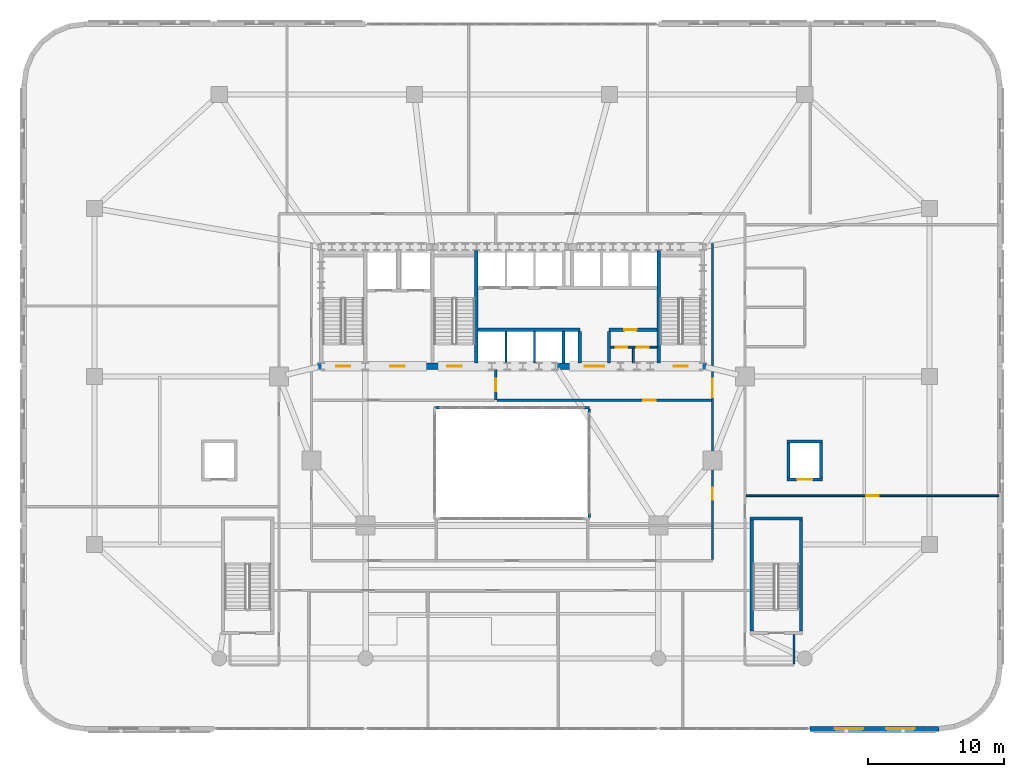
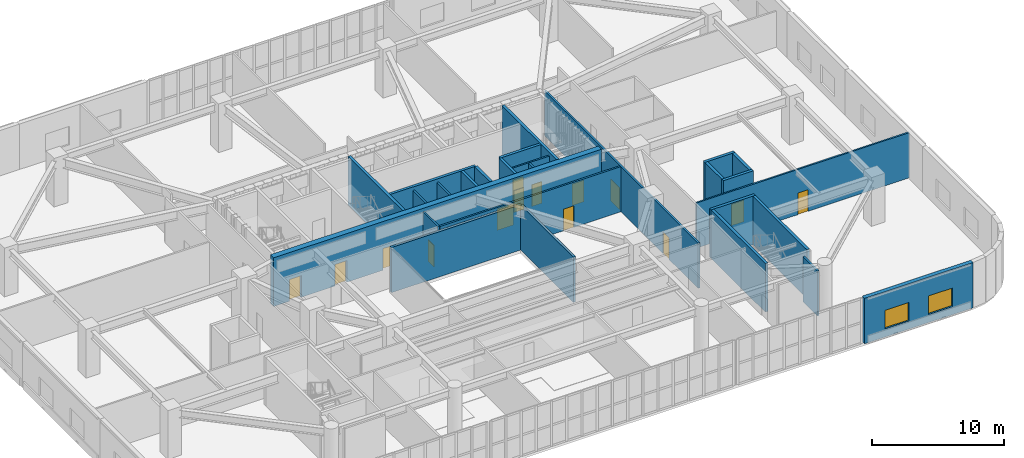
# One storey, part 15 of 25: 27 walls, 14 doors, 2 windows, 16 openings.
"""IFC4 building model written with IfcOpenShell, lengths in metres."""

from ifc_helpers import new_model, si_unit, direction, frame, frame_2d, origin, place, context, subcontext, project, spatial, rectangle, extrude, material, layer, layer_set, type_object, element, fill, save


model = new_model("IFC4")

# Units and contexts
model_context = context("Model", 3, precision=1e-05, world=origin(), true_north=direction((0.0, 1.0)))
body_context = subcontext(model_context, "Body", "Model", "MODEL_VIEW")
ifc_project = project(units=[si_unit("LENGTHUNIT", "METRE"), si_unit("AREAUNIT", "SQUARE_METRE"), si_unit("VOLUMEUNIT", "CUBIC_METRE"), si_unit("PLANEANGLEUNIT", "RADIAN"), si_unit("MASSUNIT", "GRAM", prefix="KILO")], contexts=[model_context])

# Site, building, storey
site_placement = place(None, origin())
site = spatial("IfcSite", under=ifc_project, at=site_placement, CompositionType="ELEMENT")
building_placement = place(site_placement, origin())
building = spatial("IfcBuilding", under=site, at=building_placement, Name="Haldorwick Loom Tower", CompositionType="ELEMENT")
storey_placement = place(building_placement, frame((0.0, 0.0, 15.0)))
storey = spatial("IfcBuildingStorey", under=building, at=storey_placement, Name="L03", CompositionType="ELEMENT", Elevation=15.0)

# Wall, openings, windows
ifc_material_1 = material(Name="Pressed Clay Face Brick and Insulated Masonry Backup Assembly", Category="masonry")
ifc_layer_1 = layer(ifc_material_1, 0.360107421875, Name="Pressed Clay Face Brick and Insulated Masonry Backup Assembly", Category="masonry")
ifc_layer_set_1 = layer_set([ifc_layer_1], Name="Pressed Clay Face Brick and Insulated Masonry Backup Assembly")
wall_type_1 = type_object("IfcWallType", Name="ARC-WL-EXT360", PredefinedType="STANDARD", material=ifc_layer_set_1)
wall_1_placement = place(storey_placement, frame((58.0, 0.0, 0.0), z_axis=(0.0, 0.0, 1.0), x_axis=(1.0, 0.0, 0.0)))
wall_1 = element("IfcWall", 1, at=wall_1_placement, inside=storey, type_object=wall_type_1, Name="L03 Brick Pier and Spandrel Wall 42", PredefinedType="STANDARD", context=body_context, shape_type="SweptSolid", body=[
    extrude(rectangle(XDim=9.5, YDim=0.360107421875, at=frame_2d((4.75, 0.0))), origin(), (0.0, 0.0, 1.0), 4.199951171875),
])
opening_1_placement = place(wall_1_placement, frame((1.800048828125, 0.0, 0.75)))
opening_1 = element("IfcOpeningElement", 2, at=opening_1_placement, cuts=wall_1, Name="Opening W-04", PredefinedType="OPENING", context=body_context, shape_type="SweptSolid", body=[
    extrude(rectangle(XDim=2.10009765625, YDim=1.719970703125, at=frame_2d((1.050048828125, 0.85986328125))), frame((0.0, 0.18994140625, 0.0), z_axis=(0.0, -1.0, 0.0), x_axis=(1.0, 0.0, 0.0)), (0.0, 0.0, 1.0), 0.380126953125),
])
opening_2_placement = place(wall_1_placement, frame((5.60009765625, 0.0, 0.75)))
opening_2 = element("IfcOpeningElement", 3, at=opening_2_placement, cuts=wall_1, Name="Opening W-04", PredefinedType="OPENING", context=body_context, shape_type="SweptSolid", body=[
    extrude(rectangle(XDim=2.10009765625, YDim=1.719970703125, at=frame_2d((1.050048828125, 0.85986328125))), frame((0.0, 0.18994140625, 0.0), z_axis=(0.0, -1.0, 0.0), x_axis=(1.0, 0.0, 0.0)), (0.0, 0.0, 1.0), 0.380126953125),
])
ifc_material_2 = material(Name="Triple-Glazed Low-E Argon Insulated Glazing Unit", Category="glass")
window_type = type_object("IfcWindowType", Name="ARC-WIN-W210", PartitioningType="SINGLE_PANEL", PredefinedType="WINDOW", material=ifc_material_2)
window_1_placement = place(opening_1_placement, origin())
window_1 = element("IfcWindow", 4, at=window_1_placement, inside=storey, type_object=window_type, Name="L03 Deep-Set Zone 7A Window 42", OverallHeight=1.719970703125, OverallWidth=2.10009765625, PartitioningType="SINGLE_PANEL", PredefinedType="WINDOW", context=body_context, shape_type="SweptSolid", body=[
    extrude(rectangle(XDim=2.10009765625, YDim=1.719970703125, at=frame_2d((1.050048828125, 0.85986328125))), frame((0.0, 0.030029296875, 0.0), z_axis=(0.0, -1.0, 0.0), x_axis=(1.0, 0.0, 0.0)), (0.0, 0.0, 1.0), 0.06005859375),
])
fill(opening_1, window_1)
window_2_placement = place(opening_2_placement, origin())
window_2 = element("IfcWindow", 5, at=window_2_placement, inside=storey, type_object=window_type, Name="L03 Deep-Set Zone 7A Window 42", OverallHeight=1.719970703125, OverallWidth=2.10009765625, PartitioningType="SINGLE_PANEL", PredefinedType="WINDOW", context=body_context, shape_type="SweptSolid", body=[
    extrude(rectangle(XDim=2.10009765625, YDim=1.719970703125, at=frame_2d((1.050048828125, 0.85986328125))), frame((0.0, 0.030029296875, 0.0), z_axis=(0.0, -1.0, 0.0), x_axis=(1.0, 0.0, 0.0)), (0.0, 0.0, 1.0), 0.06005859375),
])
fill(opening_2, window_2)

# Wall, opening, door
ifc_material_3 = material(Name="Fire-Rated Type X Gypsum Stud Assembly EI 60")
ifc_layer_2 = layer(ifc_material_3, 0.159912109375, Name="Fire-Rated Type X Gypsum Stud Assembly EI 60")
ifc_layer_set_2 = layer_set([ifc_layer_2], Name="Fire-Rated Type X Gypsum Stud Assembly EI 60")
wall_type_2 = type_object("IfcWallType", Name="ARC-WL-FIRE160", PredefinedType="PARTITIONING", material=ifc_layer_set_2)
wall_2_placement = place(storey_placement, frame((34.800048828125, 24.25, 0.0), z_axis=(0.0, 0.0, 1.0), x_axis=(0.0, 1.0, 0.0)))
wall_2 = element("IfcWall", 6, at=wall_2_placement, inside=storey, type_object=wall_type_2, Name="L03 Podium Partition L03-CCS", PredefinedType="PARTITIONING", context=body_context, shape_type="SweptSolid", body=[
    extrude(rectangle(XDim=2.2470703125, YDim=0.159912109375, at=frame_2d((1.12353515625, 0.0))), origin(), (0.0, 0.0, 1.0), 4.18505859375),
])
opening_3_placement = place(wall_2_placement, frame((0.673583984375, 0.0, 0.0)))
opening_3 = element("IfcOpeningElement", 7, at=opening_3_placement, cuts=wall_2, Name="Opening D-FD60A", PredefinedType="OPENING", context=body_context, shape_type="SweptSolid", body=[
    extrude(rectangle(XDim=0.89990234375, YDim=2.0, at=frame_2d((0.449951171875, 1.0))), frame((0.0, 0.08984375, 0.0), z_axis=(0.0, -1.0, 0.0), x_axis=(1.0, 0.0, 0.0)), (0.0, 0.0, 1.0), 0.179931640625),
])
ifc_material_4 = material(Name="Hollow Steel Fire Door Assembly", Category="steel")
door_type_1 = type_object("IfcDoorType", Name="ARC-DR-FD60-90", OperationType="NOTDEFINED", PredefinedType="DOOR", material=ifc_material_4)
door_1_placement = place(opening_3_placement, origin())
door_1 = element("IfcDoor", 8, at=door_1_placement, inside=storey, type_object=door_type_1, Name="L03 L03 West Core Corridor to L03 East Core Corridor Door", OperationType="SINGLE_SWING_RIGHT", OverallHeight=2.0, OverallWidth=0.89990234375, PredefinedType="DOOR", context=body_context, shape_type="SweptSolid", body=[
    extrude(rectangle(XDim=0.89990234375, YDim=2.0, at=frame_2d((0.449951171875, 1.0))), frame((0.0, 0.02490234375, 0.0), z_axis=(0.0, -1.0, 0.0), x_axis=(1.0, 0.0, 0.0)), (0.0, 0.0, 1.0), 0.050048828125),
])
fill(opening_3, door_1)

# Wall
wall_3_placement = place(storey_placement, frame((56.800048828125, 4.782958984375, 0.0), z_axis=(0.0, 0.0, 1.0), x_axis=(0.0, 1.0, 0.0)))
element("IfcWall", 9, at=wall_3_placement, inside=storey, type_object=wall_type_2, Name="L03 Podium Partition L03-SP2E", PredefinedType="PARTITIONING", context=body_context, shape_type="SweptSolid", body=[
    extrude(rectangle(XDim=2.174072265625, YDim=0.159912109375, at=frame_2d((1.0869140625, 0.0))), origin(), (0.0, 0.0, 1.0), 4.18505859375),
])

# Wall, openings, doors
wall_4_placement = place(storey_placement, frame((50.800048828125, 12.48291015625, 0.0), z_axis=(0.0, 0.0, 1.0), x_axis=(0.0, 1.0, 0.0)))
wall_4 = element("IfcWall", 10, at=wall_4_placement, inside=storey, type_object=wall_type_2, Name="L03 Podium Partition L03-CE1", PredefinedType="PARTITIONING", context=body_context, shape_type="SweptSolid", body=[
    extrude(rectangle(XDim=23.317138671875, YDim=0.159912109375, at=frame_2d((11.65869140625, 0.0))), origin(), (0.0, 0.0, 1.0), 4.18505859375),
])
opening_4_placement = place(wall_4_placement, frame((11.99169921875, 0.0, 0.0)))
opening_4 = element("IfcOpeningElement", 11, at=opening_4_placement, cuts=wall_4, Name="Opening D-CR15", PredefinedType="OPENING", context=body_context, shape_type="SweptSolid", body=[
    extrude(rectangle(XDim=1.35009765625, YDim=2.0, at=frame_2d((0.675048828125, 1.0))), frame((0.0, 0.08984375, 0.0), z_axis=(0.0, -1.0, 0.0), x_axis=(1.0, 0.0, 0.0)), (0.0, 0.0, 1.0), 0.179931640625),
])
opening_5_placement = place(wall_4_placement, frame((4.405517578125, 0.0, 0.0)))
opening_5 = element("IfcOpeningElement", 12, at=opening_5_placement, cuts=wall_4, Name="Opening D-FD60A", PredefinedType="OPENING", context=body_context, shape_type="SweptSolid", body=[
    extrude(rectangle(XDim=0.89990234375, YDim=2.0, at=frame_2d((0.449951171875, 1.0))), frame((0.0, 0.08984375, 0.0), z_axis=(0.0, -1.0, 0.0), x_axis=(1.0, 0.0, 0.0)), (0.0, 0.0, 1.0), 0.179931640625),
])
ifc_material_5 = material(Name="Thermally Broken Anodized Aluminium and Tempered Glass", Category="aluminium")
door_type_2 = type_object("IfcDoorType", Name="ARC-DR-COR150", OperationType="NOTDEFINED", PredefinedType="DOOR", material=ifc_material_5)
door_2_placement = place(opening_4_placement, origin())
door_2 = element("IfcDoor", 13, at=door_2_placement, inside=storey, type_object=door_type_2, Name="L03 L03 East Core Corridor to L03 South Clinic Corridor Door", OperationType="DOUBLE_DOOR_SINGLE_SWING", OverallHeight=2.0, OverallWidth=1.35009765625, PredefinedType="DOOR", context=body_context, shape_type="SweptSolid", body=[
    extrude(rectangle(XDim=1.35009765625, YDim=2.0, at=frame_2d((0.675048828125, 1.0))), frame((0.0, 0.02490234375, 0.0), z_axis=(0.0, -1.0, 0.0), x_axis=(1.0, 0.0, 0.0)), (0.0, 0.0, 1.0), 0.050048828125),
])
fill(opening_4, door_2)
door_3_placement = place(opening_5_placement, origin())
door_3 = element("IfcDoor", 14, at=door_3_placement, inside=storey, type_object=door_type_1, Name="L03 Physiotherapy Rehabilitation Hall 12 to L03 South Clinic Corridor Do", OperationType="SINGLE_SWING_LEFT", OverallHeight=2.0, OverallWidth=0.89990234375, PredefinedType="DOOR", context=body_context, shape_type="SweptSolid", body=[
    extrude(rectangle(XDim=0.89990234375, YDim=2.0, at=frame_2d((0.449951171875, 1.0))), frame((0.0, 0.02490234375, 0.0), z_axis=(0.0, -1.0, 0.0), x_axis=(1.0, 0.0, 0.0)), (0.0, 0.0, 1.0), 0.050048828125),
])
fill(opening_5, door_3)

# Wall, opening, door
wall_5_placement = place(storey_placement, frame((34.883056640625, 24.25, 0.0), z_axis=(0.0, 0.0, 1.0), x_axis=(1.0, 0.0, 0.0)))
wall_5 = element("IfcWall", 15, at=wall_5_placement, inside=storey, type_object=wall_type_2, Name="L03 Podium Partition L03-CMN", PredefinedType="PARTITIONING", context=body_context, shape_type="SweptSolid", body=[
    extrude(rectangle(XDim=15.833984375, YDim=0.159912109375, at=frame_2d((7.9169921875, 0.0))), origin(), (0.0, 0.0, 1.0), 4.18505859375),
])
opening_6_placement = place(wall_5_placement, frame((10.812255859375, 0.0, 0.0)))
opening_6 = element("IfcOpeningElement", 16, at=opening_6_placement, cuts=wall_5, Name="Opening D-FD60A", PredefinedType="OPENING", context=body_context, shape_type="SweptSolid", body=[
    extrude(rectangle(XDim=0.89990234375, YDim=2.0, at=frame_2d((0.449951171875, 1.0))), frame((0.0, 0.08984375, 0.0), z_axis=(0.0, -1.0, 0.0), x_axis=(1.0, 0.0, 0.0)), (0.0, 0.0, 1.0), 0.179931640625),
])
door_4_placement = place(opening_6_placement, origin())
door_4 = element("IfcDoor", 17, at=door_4_placement, inside=storey, type_object=door_type_1, Name="L03 L03 East Core Corridor to Physiotherapy Rehabilitation Hall 12 Door", OperationType="SINGLE_SWING_LEFT", OverallHeight=2.0, OverallWidth=0.89990234375, PredefinedType="DOOR", context=body_context, shape_type="SweptSolid", body=[
    extrude(rectangle(XDim=0.89990234375, YDim=2.0, at=frame_2d((0.449951171875, 1.0))), frame((0.0, 0.02490234375, 0.0), z_axis=(0.0, -1.0, 0.0), x_axis=(1.0, 0.0, 0.0)), (0.0, 0.0, 1.0), 0.050048828125),
])
fill(opening_6, door_4)

# Walls
ifc_material_6 = material(Name="Fire-Rated Type X Gypsum Stud Assembly EI 120")
ifc_layer_3 = layer(ifc_material_6, 0.199951171875, Name="Fire-Rated Type X Gypsum Stud Assembly EI 120")
ifc_layer_set_3 = layer_set([ifc_layer_3], Name="Fire-Rated Type X Gypsum Stud Assembly EI 120")
wall_type_3 = type_object("IfcWallType", Name="ARC-WL-FIRE200", PredefinedType="PARTITIONING", material=ifc_layer_set_3)
wall_6_placement = place(storey_placement, frame((30.300048828125, 23.699951171875, 0.0), z_axis=(0.0, 0.0, 1.0), x_axis=(1.0, 0.0, 0.0)))
element("IfcWall", 18, at=wall_6_placement, inside=storey, type_object=wall_type_3, Name="L03 Podium Atrium Wall", PredefinedType="PARTITIONING", context=body_context, shape_type="SweptSolid", body=[
    extrude(rectangle(XDim=11.39990234375, YDim=0.199951171875, at=frame_2d((5.699951171875, 0.0))), origin(), (0.0, 0.0, 1.0), 4.18505859375),
])
wall_7_placement = place(storey_placement, frame((41.699951171875, 23.596923828125, 0.0), z_axis=(0.0, 0.0, 1.0), x_axis=(0.0, -1.0, 0.0)))
element("IfcWall", 19, at=wall_7_placement, inside=storey, type_object=wall_type_3, Name="L03 Podium Atrium Wall", PredefinedType="PARTITIONING", context=body_context, shape_type="SweptSolid", body=[
    extrude(rectangle(XDim=7.993896484375, YDim=0.199951171875, at=frame_2d((3.9970703125, 0.0))), origin(), (0.0, 0.0, 1.0), 4.18505859375),
])

# Wall, openings, doors
ifc_layer_4 = layer(ifc_material_3, 0.139892578125, Name="Fire-Rated Type X Gypsum Stud Assembly EI 60")
ifc_layer_set_4 = layer_set([ifc_layer_4], Name="Fire-Rated Type X Gypsum Stud Assembly EI 60")
wall_type_4 = type_object("IfcWallType", Name="ARC-WL-PART140", PredefinedType="PARTITIONING", material=ifc_layer_set_4)
wall_8_placement = place(storey_placement, frame((43.27294921875, 28.159912109375, 0.0), z_axis=(0.0, 0.0, 1.0), x_axis=(1.0, 0.0, 0.0)))
wall_8 = element("IfcWall", 20, at=wall_8_placement, inside=storey, type_object=wall_type_4, Name="L03 Telecom Partition", PredefinedType="PARTITIONING", context=body_context, shape_type="SweptSolid", body=[
    extrude(rectangle(XDim=3.43408203125, YDim=0.139892578125, at=frame_2d((1.717041015625, 0.0))), origin(), (0.0, 0.0, 1.0), 4.18505859375),
])
opening_7_placement = place(wall_8_placement, frame((0.366943359375, 0.0, 0.0)))
opening_7 = element("IfcOpeningElement", 21, at=opening_7_placement, cuts=wall_8, Name="Opening D-BT88", PredefinedType="OPENING", context=body_context, shape_type="SweptSolid", body=[
    extrude(rectangle(XDim=0.8798828125, YDim=2.02001953125, at=frame_2d((0.43994140625, 1.010009765625))), frame((0.0, 0.079833984375, 0.0), z_axis=(0.0, -1.0, 0.0), x_axis=(1.0, 0.0, 0.0)), (0.0, 0.0, 1.0), 0.159912109375),
])
opening_8_placement = place(wall_8_placement, frame((1.93701171875, 0.0, 0.0)))
opening_8 = element("IfcOpeningElement", 22, at=opening_8_placement, cuts=wall_8, Name="Opening D-BT88", PredefinedType="OPENING", context=body_context, shape_type="SweptSolid", body=[
    extrude(rectangle(XDim=0.8798828125, YDim=2.02001953125, at=frame_2d((0.43994140625, 1.010009765625))), frame((0.0, 0.079833984375, 0.0), z_axis=(0.0, -1.0, 0.0), x_axis=(1.0, 0.0, 0.0)), (0.0, 0.0, 1.0), 0.159912109375),
])
ifc_material_7 = material(Name="Solid Core Birch Architectural Door")
door_type_3 = type_object("IfcDoorType", Name="ARC-DR-BATH88", OperationType="NOTDEFINED", PredefinedType="DOOR", material=ifc_material_7)
door_5_placement = place(opening_7_placement, origin())
door_5 = element("IfcDoor", 23, at=door_5_placement, inside=storey, type_object=door_type_3, Name="L03 Telecom Room Door", OperationType="SINGLE_SWING_LEFT", OverallHeight=2.02001953125, OverallWidth=0.8798828125, PredefinedType="DOOR", context=body_context, shape_type="SweptSolid", body=[
    extrude(rectangle(XDim=0.8798828125, YDim=2.02001953125, at=frame_2d((0.43994140625, 1.010009765625))), frame((0.0, 0.02490234375, 0.0), z_axis=(0.0, -1.0, 0.0), x_axis=(1.0, 0.0, 0.0)), (0.0, 0.0, 1.0), 0.050048828125),
])
fill(opening_7, door_5)
door_6_placement = place(opening_8_placement, origin())
door_6 = element("IfcDoor", 24, at=door_6_placement, inside=storey, type_object=door_type_3, Name="L03 Metering Closet Door", OperationType="SINGLE_SWING_RIGHT", OverallHeight=2.02001953125, OverallWidth=0.8798828125, PredefinedType="DOOR", context=body_context, shape_type="SweptSolid", body=[
    extrude(rectangle(XDim=0.8798828125, YDim=2.02001953125, at=frame_2d((0.43994140625, 1.010009765625))), frame((0.0, 0.02490234375, 0.0), z_axis=(0.0, -1.0, 0.0), x_axis=(1.0, 0.0, 0.0)), (0.0, 0.0, 1.0), 0.050048828125),
])
fill(opening_8, door_6)

# Wall
wall_9_placement = place(storey_placement, frame((44.949951171875, 27.0029296875, 0.0), z_axis=(0.0, 0.0, 1.0), x_axis=(0.0, 1.0, 0.0)))
element("IfcWall", 25, at=wall_9_placement, inside=storey, type_object=wall_type_4, Name="L03 Metering Sub-Partition", PredefinedType="PARTITIONING", context=body_context, shape_type="SweptSolid", body=[
    extrude(rectangle(XDim=1.083984375, YDim=0.139892578125, at=frame_2d((0.5419921875, 0.0))), origin(), (0.0, 0.0, 1.0), 4.18505859375),
])

# Wall, opening, door
wall_10_placement = place(storey_placement, frame((53.282958984375, 17.199951171875, 0.0), z_axis=(0.0, 0.0, 1.0), x_axis=(1.0, 0.0, 0.0)))
wall_10 = element("IfcWall", 26, at=wall_10_placement, inside=storey, type_object=wall_type_4, Name="L03 Podium Partition L03-PE-0", PredefinedType="PARTITIONING", context=body_context, shape_type="SweptSolid", body=[
    extrude(rectangle(XDim=18.616943359375, YDim=0.139892578125, at=frame_2d((9.30859375, 0.0))), origin(), (0.0, 0.0, 1.0), 4.18505859375),
])
opening_9_placement = place(wall_10_placement, frame((8.868408203125, 0.0, 0.0)))
opening_9 = element("IfcOpeningElement", 27, at=opening_9_placement, cuts=wall_10, Name="Opening D-FD60A", PredefinedType="OPENING", context=body_context, shape_type="SweptSolid", body=[
    extrude(rectangle(XDim=0.89990234375, YDim=2.0, at=frame_2d((0.449951171875, 1.0))), frame((0.0, 0.079833984375, 0.0), z_axis=(0.0, -1.0, 0.0), x_axis=(1.0, 0.0, 0.0)), (0.0, 0.0, 1.0), 0.159912109375),
])
door_7_placement = place(opening_9_placement, frame((0.89990234375, 0.0, 0.0), z_axis=(0.0, 0.0, 1.0), x_axis=(-1.0, 0.0, 0.0)))
door_7 = element("IfcDoor", 28, at=door_7_placement, inside=storey, type_object=door_type_1, Name="L03 Physiotherapy Rehabilitation Hall 17 to Physiotherapy Rehabilitation", OperationType="SINGLE_SWING_RIGHT", OverallHeight=2.0, OverallWidth=0.89990234375, PredefinedType="DOOR", context=body_context, shape_type="SweptSolid", body=[
    extrude(rectangle(XDim=0.89990234375, YDim=2.0, at=frame_2d((0.449951171875, 1.0))), frame((0.0, 0.02490234375, 0.0), z_axis=(0.0, -1.0, 0.0), x_axis=(1.0, 0.0, 0.0)), (0.0, 0.0, 1.0), 0.050048828125),
])
fill(opening_9, door_7)

# Walls
ifc_layer_5 = layer(ifc_material_6, 0.1650390625, Name="Fire-Rated Type X Gypsum Stud Assembly EI 120")
ifc_layer_set_5 = layer_set([ifc_layer_5], Name="Fire-Rated Type X Gypsum Stud Assembly EI 120")
wall_type_5 = type_object("IfcWallType", Name="ARC-WL-SHAFT160", PredefinedType="MOVABLE", material=ifc_layer_set_5)
for number, where, z_axis, x_axis, name in (
    (29, (35.550048828125, 27.0029296875, 0.0), (0.0, 0.0, 1.0), (0.0, 1.0, 0.0), "L03 Mid-Rise Hoistway Divider 1"),
    (30, (37.64990234375, 27.0029296875, 0.0), (0.0, 0.0, 1.0), (0.0, 1.0, 0.0), "L03 Mid-Rise Hoistway Divider 2"),
):
    element("IfcWall", number, at=place(storey_placement, frame(where, z_axis=z_axis, x_axis=x_axis)), inside=storey, type_object=wall_type_5, Name=name, PredefinedType="MOVABLE", context=body_context, shape_type="SweptSolid", body=[
        extrude(rectangle(XDim=2.323974609375, YDim=0.159912109375, at=frame_2d((1.162109375, 0.0))), origin(), (0.0, 0.0, 1.0), 4.18505859375),
    ])

# Wall, openings, doors
ifc_material_8 = material(Name="Concrete C60 (60 MPa)", Category="concrete")
ifc_layer_6 = layer(ifc_material_8, 0.5, Name="Concrete C60 (60 MPa)", Category="concrete")
ifc_layer_set_6 = layer_set([ifc_layer_6], Name="Concrete C60 (60 MPa)")
wall_type_6 = type_object("IfcWallType", Name="STR-WL-CORE500", PredefinedType="SHEAR", material=ifc_layer_set_6)
wall_11_placement = place(storey_placement, frame((21.64990234375, 26.75, 0.0), z_axis=(0.0, 0.0, 1.0), x_axis=(1.0, 0.0, 0.0)))
wall_11 = element("IfcWall", 31, at=wall_11_placement, inside=storey, type_object=wall_type_6, Name="L03 Core Shear Wall S", PredefinedType="SHEAR", context=body_context, shape_type="SweptSolid", body=[
    extrude(rectangle(XDim=28.7001953125, YDim=0.5, at=frame_2d((14.35009765625, 0.0))), origin(), (0.0, 0.0, 1.0), 4.5),
])
opening_10_placement = place(wall_11_placement, frame((1.375, 0.0, 0.0)))
opening_10 = element("IfcOpeningElement", 32, at=opening_10_placement, cuts=wall_11, Name="Opening D-FD60", PredefinedType="OPENING", context=body_context, shape_type="SweptSolid", body=[
    extrude(rectangle(XDim=1.050048828125, YDim=2.0, at=frame_2d((0.52490234375, 1.0))), frame((0.0, 0.260009765625, 0.0), z_axis=(0.0, -1.0, 0.0), x_axis=(1.0, 0.0, 0.0)), (0.0, 0.0, 1.0), 0.52001953125),
])
opening_11_placement = place(wall_11_placement, frame((5.375, 0.0, 0.0)))
opening_11 = element("IfcOpeningElement", 33, at=opening_11_placement, cuts=wall_11, Name="Opening D-FD60", PredefinedType="OPENING", context=body_context, shape_type="SweptSolid", body=[
    extrude(rectangle(XDim=1.050048828125, YDim=2.0, at=frame_2d((0.52490234375, 1.0))), frame((0.0, 0.260009765625, 0.0), z_axis=(0.0, -1.0, 0.0), x_axis=(1.0, 0.0, 0.0)), (0.0, 0.0, 1.0), 0.52001953125),
])
opening_12_placement = place(wall_11_placement, frame((9.574951171875, 0.0, 0.0)))
opening_12 = element("IfcOpeningElement", 34, at=opening_12_placement, cuts=wall_11, Name="Opening D-FD60", PredefinedType="OPENING", context=body_context, shape_type="SweptSolid", body=[
    extrude(rectangle(XDim=1.050048828125, YDim=2.0, at=frame_2d((0.52490234375, 1.0))), frame((0.0, 0.260009765625, 0.0), z_axis=(0.0, -1.0, 0.0), x_axis=(1.0, 0.0, 0.0)), (0.0, 0.0, 1.0), 0.52001953125),
])
opening_13_placement = place(wall_11_placement, frame((19.705078125, 0.0, 0.0)))
opening_13 = element("IfcOpeningElement", 35, at=opening_13_placement, cuts=wall_11, Name="Opening D-LB15", PredefinedType="OPENING", context=body_context, shape_type="SweptSolid", body=[
    extrude(rectangle(XDim=1.449951171875, YDim=2.0, at=frame_2d((0.72509765625, 1.0))), frame((0.0, 0.260009765625, 0.0), z_axis=(0.0, -1.0, 0.0), x_axis=(1.0, 0.0, 0.0)), (0.0, 0.0, 1.0), 0.52001953125),
])
opening_14_placement = place(wall_11_placement, frame((26.27490234375, 0.0, 0.0)))
opening_14 = element("IfcOpeningElement", 36, at=opening_14_placement, cuts=wall_11, Name="Opening D-FD60", PredefinedType="OPENING", context=body_context, shape_type="SweptSolid", body=[
    extrude(rectangle(XDim=1.050048828125, YDim=2.0, at=frame_2d((0.52490234375, 1.0))), frame((0.0, 0.260009765625, 0.0), z_axis=(0.0, -1.0, 0.0), x_axis=(1.0, 0.0, 0.0)), (0.0, 0.0, 1.0), 0.52001953125),
])
door_type_4 = type_object("IfcDoorType", Name="ARC-DR-FD60", OperationType="NOTDEFINED", PredefinedType="DOOR", material=ifc_material_4)
door_8_placement = place(opening_10_placement, origin())
door_8 = element("IfcDoor", 37, at=door_8_placement, inside=storey, type_object=door_type_4, Name="L03 Exit Stair ST-01 Fire Door", OperationType="SINGLE_SWING_LEFT", OverallHeight=2.0, OverallWidth=1.050048828125, PredefinedType="DOOR", context=body_context, shape_type="SweptSolid", body=[
    extrude(rectangle(XDim=1.050048828125, YDim=2.0, at=frame_2d((0.52490234375, 1.0))), frame((0.0, 0.02490234375, 0.0), z_axis=(0.0, -1.0, 0.0), x_axis=(1.0, 0.0, 0.0)), (0.0, 0.0, 1.0), 0.050048828125),
])
fill(opening_10, door_8)
door_9_placement = place(opening_11_placement, origin())
door_9 = element("IfcDoor", 38, at=door_9_placement, inside=storey, type_object=door_type_4, Name="L03 Firefighting Lift Lobby Fire Door", OperationType="SINGLE_SWING_RIGHT", OverallHeight=2.0, OverallWidth=1.050048828125, PredefinedType="DOOR", context=body_context, shape_type="SweptSolid", body=[
    extrude(rectangle(XDim=1.050048828125, YDim=2.0, at=frame_2d((0.52490234375, 1.0))), frame((0.0, 0.02490234375, 0.0), z_axis=(0.0, -1.0, 0.0), x_axis=(1.0, 0.0, 0.0)), (0.0, 0.0, 1.0), 0.050048828125),
])
fill(opening_11, door_9)
door_10_placement = place(opening_12_placement, origin())
door_10 = element("IfcDoor", 39, at=door_10_placement, inside=storey, type_object=door_type_4, Name="L03 Exit Stair ST-03 Fire Door", OperationType="SINGLE_SWING_LEFT", OverallHeight=2.0, OverallWidth=1.050048828125, PredefinedType="DOOR", context=body_context, shape_type="SweptSolid", body=[
    extrude(rectangle(XDim=1.050048828125, YDim=2.0, at=frame_2d((0.52490234375, 1.0))), frame((0.0, 0.02490234375, 0.0), z_axis=(0.0, -1.0, 0.0), x_axis=(1.0, 0.0, 0.0)), (0.0, 0.0, 1.0), 0.050048828125),
])
fill(opening_12, door_10)
door_11_placement = place(opening_14_placement, origin())
door_11 = element("IfcDoor", 40, at=door_11_placement, inside=storey, type_object=door_type_4, Name="L03 Exit Stair ST-02 Fire Door", OperationType="SINGLE_SWING_LEFT", OverallHeight=2.0, OverallWidth=1.050048828125, PredefinedType="DOOR", context=body_context, shape_type="SweptSolid", body=[
    extrude(rectangle(XDim=1.050048828125, YDim=2.0, at=frame_2d((0.52490234375, 1.0))), frame((0.0, 0.02490234375, 0.0), z_axis=(0.0, -1.0, 0.0), x_axis=(1.0, 0.0, 0.0)), (0.0, 0.0, 1.0), 0.050048828125),
])
fill(opening_14, door_11)
door_type_5 = type_object("IfcDoorType", Name="ARC-DR-LOB150", OperationType="NOTDEFINED", PredefinedType="DOOR", material=ifc_material_5)
door_12_placement = place(opening_13_placement, frame((1.449951171875, 0.0, 0.0), z_axis=(0.0, 0.0, 1.0), x_axis=(-1.0, 0.0, 0.0)))
door_12 = element("IfcDoor", 41, at=door_12_placement, inside=storey, type_object=door_type_5, Name="L03 Passenger Lift Lobby Fire Door", OperationType="DOUBLE_DOOR_SINGLE_SWING", OverallHeight=2.0, OverallWidth=1.449951171875, PredefinedType="DOOR", context=body_context, shape_type="SweptSolid", body=[
    extrude(rectangle(XDim=1.449951171875, YDim=2.0, at=frame_2d((0.72509765625, 1.0))), frame((0.0, 0.02490234375, 0.0), z_axis=(0.0, -1.0, 0.0), x_axis=(1.0, 0.0, 0.0)), (0.0, 0.0, 1.0), 0.050048828125),
])
fill(opening_13, door_12)

# Walls
ifc_material_9 = material(Name="Concrete C50 (50 MPa)", Category="concrete")
ifc_layer_7 = layer(ifc_material_9, 0.239990234375, Name="Concrete C50 (50 MPa)", Category="concrete")
ifc_layer_set_7 = layer_set([ifc_layer_7], Name="Concrete C50 (50 MPa)")
wall_type_7 = type_object("IfcWallType", Name="STR-WL-SHAFT240", PredefinedType="SHEAR", material=ifc_layer_set_7)
for number, where, z_axis, x_axis, name in (
    (42, (33.3701171875, 27.0029296875, 0.0), (0.0, 0.0, 1.0), (0.0, 1.0, 0.0), "L03 Core Shear Wall 3"),
    (43, (46.830078125, 27.0029296875, 0.0), (0.0, 0.0, 1.0), (0.0, 1.0, 0.0), "L03 Core Shear Wall 4"),
):
    element("IfcWall", number, at=place(storey_placement, frame(where, z_axis=z_axis, x_axis=x_axis)), inside=storey, type_object=wall_type_7, Name=name, PredefinedType="SHEAR", context=body_context, shape_type="SweptSolid", body=[
        extrude(rectangle(XDim=8.294189453125, YDim=0.239990234375, at=frame_2d((4.14697265625, 0.0))), origin(), (0.0, 0.0, 1.0), 4.5),
    ])
wall_12_placement = place(storey_placement, frame((33.492919921875, 29.449951171875, 0.0), z_axis=(0.0, 0.0, 1.0), x_axis=(1.0, 0.0, 0.0)))
element("IfcWall", 44, at=wall_12_placement, inside=storey, type_object=wall_type_7, Name="L03 Core Shear Wall LS1", PredefinedType="SHEAR", context=body_context, shape_type="SweptSolid", body=[
    extrude(rectangle(XDim=7.507080078125, YDim=0.239990234375, at=frame_2d((3.75341796875, 0.0))), origin(), (0.0, 0.0, 1.0), 4.5),
])

# Wall, opening, door
wall_13_placement = place(storey_placement, frame((43.14990234375, 29.449951171875, 0.0), z_axis=(0.0, 0.0, 1.0), x_axis=(1.0, 0.0, 0.0)))
wall_13 = element("IfcWall", 45, at=wall_13_placement, inside=storey, type_object=wall_type_7, Name="L03 Core Shear Wall LS2", PredefinedType="SHEAR", context=body_context, shape_type="SweptSolid", body=[
    extrude(rectangle(XDim=3.55712890625, YDim=0.239990234375, at=frame_2d((1.778564453125, 0.0))), origin(), (0.0, 0.0, 1.0), 4.5),
])
opening_15_placement = place(wall_13_placement, frame((1.14990234375, 0.0, 0.0)))
opening_15 = element("IfcOpeningElement", 46, at=opening_15_placement, cuts=wall_13, Name="Opening D-FD60A", PredefinedType="OPENING", context=body_context, shape_type="SweptSolid", body=[
    extrude(rectangle(XDim=0.89990234375, YDim=2.0, at=frame_2d((0.449951171875, 1.0))), frame((0.0, 0.1298828125, 0.0), z_axis=(0.0, -1.0, 0.0), x_axis=(1.0, 0.0, 0.0)), (0.0, 0.0, 1.0), 0.260009765625),
])
door_13_placement = place(opening_15_placement, origin())
door_13 = element("IfcDoor", 47, at=door_13_placement, inside=storey, type_object=door_type_1, Name="L03 Janitor Closet Door", OperationType="SINGLE_SWING_LEFT", OverallHeight=2.0, OverallWidth=0.89990234375, PredefinedType="DOOR", context=body_context, shape_type="SweptSolid", body=[
    extrude(rectangle(XDim=0.89990234375, YDim=2.0, at=frame_2d((0.449951171875, 1.0))), frame((0.0, 0.02490234375, 0.0), z_axis=(0.0, -1.0, 0.0), x_axis=(1.0, 0.0, 0.0)), (0.0, 0.0, 1.0), 0.050048828125),
])
fill(opening_15, door_13)

# Walls
for number, where, z_axis, x_axis, name in (
    (48, (41.0, 27.0029296875, 0.0), (0.0, 0.0, 1.0), (0.0, 1.0, 0.0), "L03 Core Shear Wall THW"),
    (49, (43.14990234375, 27.0029296875, 0.0), (0.0, 0.0, 1.0), (0.0, 1.0, 0.0), "L03 Core Shear Wall THE"),
    (50, (39.800048828125, 27.0029296875, 0.0), (0.0, 0.0, 1.0), (0.0, 1.0, 0.0), "L03 Core Shear Wall MRW"),
):
    element("IfcWall", number, at=place(storey_placement, frame(where, z_axis=z_axis, x_axis=x_axis)), inside=storey, type_object=wall_type_7, Name=name, PredefinedType="SHEAR", context=body_context, shape_type="SweptSolid", body=[
        extrude(rectangle(XDim=2.323974609375, YDim=0.239990234375, at=frame_2d((1.162109375, 0.0))), origin(), (0.0, 0.0, 1.0), 4.5),
    ])
wall_14_placement = place(storey_placement, frame((57.43994140625, 15.52001953125, 0.0), z_axis=(0.0, 0.0, 1.0), x_axis=(-1.0, 0.0, 0.0)))
element("IfcWall", 51, at=wall_14_placement, inside=storey, type_object=wall_type_7, Name="L03 Exit Stairwell ST-P2 Wall", PredefinedType="SHEAR", context=body_context, shape_type="SweptSolid", body=[
    extrude(rectangle(XDim=3.8798828125, YDim=0.239990234375, at=frame_2d((1.93994140625, 0.0))), origin(), (0.0, 0.0, 1.0), 4.5),
])
for number, where, z_axis, x_axis, name in (
    (52, (53.679931640625, 7.202880859375, 0.0), (0.0, 0.0, 1.0), (0.0, 1.0, 0.0), "L03 Exit Stairwell ST-P2 Wall"),
    (53, (57.320068359375, 7.202880859375, 0.0), (0.0, 0.0, 1.0), (0.0, 1.0, 0.0), "L03 Exit Stairwell ST-P2 Wall"),
):
    element("IfcWall", number, at=place(storey_placement, frame(where, z_axis=z_axis, x_axis=x_axis)), inside=storey, type_object=wall_type_7, Name=name, PredefinedType="SHEAR", context=body_context, shape_type="SweptSolid", body=[
        extrude(rectangle(XDim=8.194091796875, YDim=0.239990234375, at=frame_2d((4.09716796875, 0.0))), origin(), (0.0, 0.0, 1.0), 4.5),
    ])

# Wall, opening, door
wall_15_placement = place(storey_placement, frame((56.280029296875, 18.39990234375, 0.0), z_axis=(0.0, 0.0, 1.0), x_axis=(1.0, 0.0, 0.0)))
wall_15 = element("IfcWall", 54, at=wall_15_placement, inside=storey, type_object=wall_type_7, Name="L03 Podium Lift Shaft LF-P2 Wall", PredefinedType="SHEAR", context=body_context, shape_type="SweptSolid", body=[
    extrude(rectangle(XDim=2.639892578125, YDim=0.239990234375, at=frame_2d((1.31982421875, 0.0))), origin(), (0.0, 0.0, 1.0), 4.5),
])
opening_16_placement = place(wall_15_placement, frame((0.760009765625, 0.0, 0.0)))
opening_16 = element("IfcOpeningElement", 55, at=opening_16_placement, cuts=wall_15, Name="Opening LD-P2", PredefinedType="OPENING", context=body_context, shape_type="SweptSolid", body=[
    extrude(rectangle(XDim=1.1201171875, YDim=2.0, at=frame_2d((0.56005859375, 1.0))), frame((0.0, 0.1298828125, 0.0), z_axis=(0.0, -1.0, 0.0), x_axis=(1.0, 0.0, 0.0)), (0.0, 0.0, 1.0), 0.260009765625),
])
door_type_6 = type_object("IfcDoorType", Name="ARC-DR-LD-PAX", OperationType="NOTDEFINED", PredefinedType="USERDEFINED", material=ifc_material_4)
door_14_placement = place(opening_16_placement, origin())
door_14 = element("IfcDoor", 56, at=door_14_placement, inside=storey, type_object=door_type_6, Name="L03 Lift LF-P2 Sliding Landing Door", ObjectType="LANDING DOOR", OperationType="DOUBLE_DOOR_SLIDING", OverallHeight=2.0, OverallWidth=1.1201171875, PredefinedType="USERDEFINED", context=body_context, shape_type="SweptSolid", body=[
    extrude(rectangle(XDim=1.1201171875, YDim=2.0, at=frame_2d((0.56005859375, 1.0))), frame((0.0, 0.02490234375, 0.0), z_axis=(0.0, -1.0, 0.0), x_axis=(1.0, 0.0, 0.0)), (0.0, 0.0, 1.0), 0.050048828125),
])
fill(opening_16, door_14)

# Walls
wall_16_placement = place(storey_placement, frame((58.919921875, 21.199951171875, 0.0), z_axis=(0.0, 0.0, 1.0), x_axis=(-1.0, 0.0, 0.0)))
element("IfcWall", 57, at=wall_16_placement, inside=storey, type_object=wall_type_7, Name="L03 Podium Lift Shaft LF-P2 Wall", PredefinedType="SHEAR", context=body_context, shape_type="SweptSolid", body=[
    extrude(rectangle(XDim=2.639892578125, YDim=0.239990234375, at=frame_2d((1.31982421875, 0.0))), origin(), (0.0, 0.0, 1.0), 4.5),
])
for number, where, z_axis, x_axis, name in (
    (58, (56.39990234375, 18.52294921875, 0.0), (0.0, 0.0, 1.0), (0.0, 1.0, 0.0), "L03 Podium Lift Shaft LF-P2 Wall"),
    (59, (58.800048828125, 18.52294921875, 0.0), (0.0, 0.0, 1.0), (0.0, 1.0, 0.0), "L03 Podium Lift Shaft LF-P2 Wall"),
):
    element("IfcWall", number, at=place(storey_placement, frame(where, z_axis=z_axis, x_axis=x_axis)), inside=storey, type_object=wall_type_7, Name=name, PredefinedType="SHEAR", context=body_context, shape_type="SweptSolid", body=[
        extrude(rectangle(XDim=2.553955078125, YDim=0.239990234375, at=frame_2d((1.27685546875, 0.0))), origin(), (0.0, 0.0, 1.0), 4.5),
    ])

save(model, "model.ifc")
